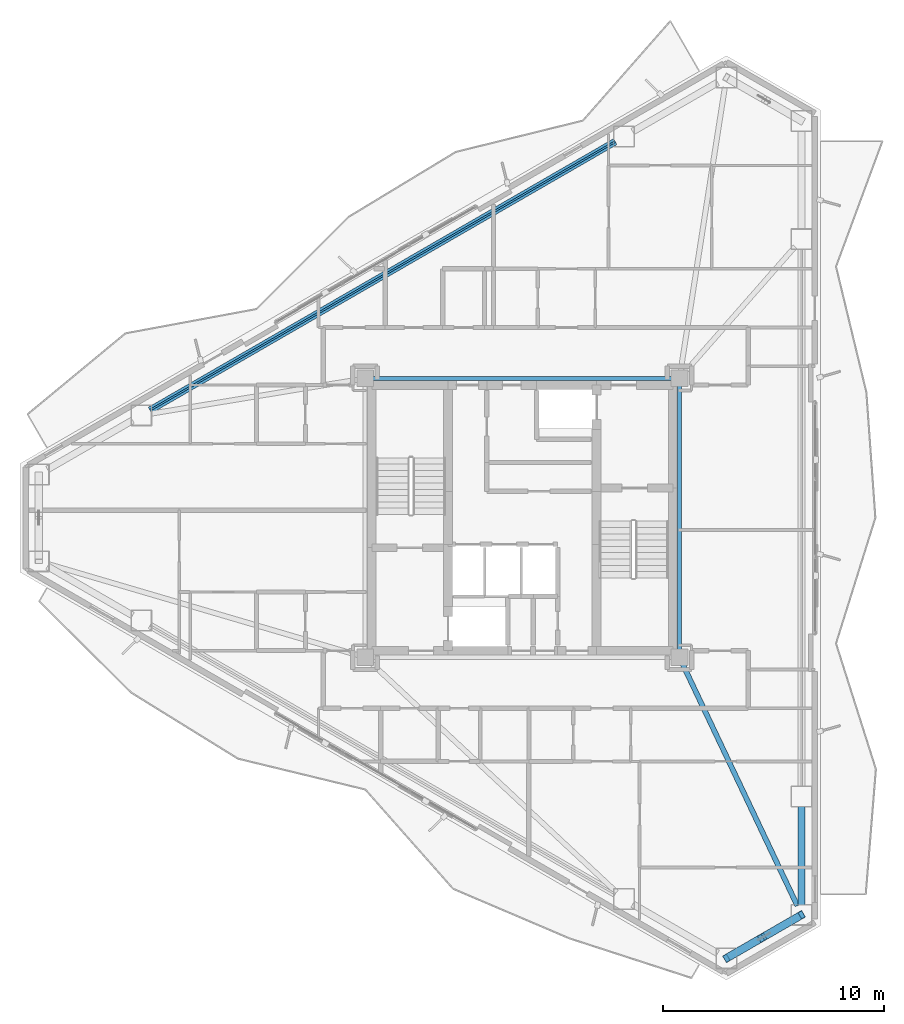
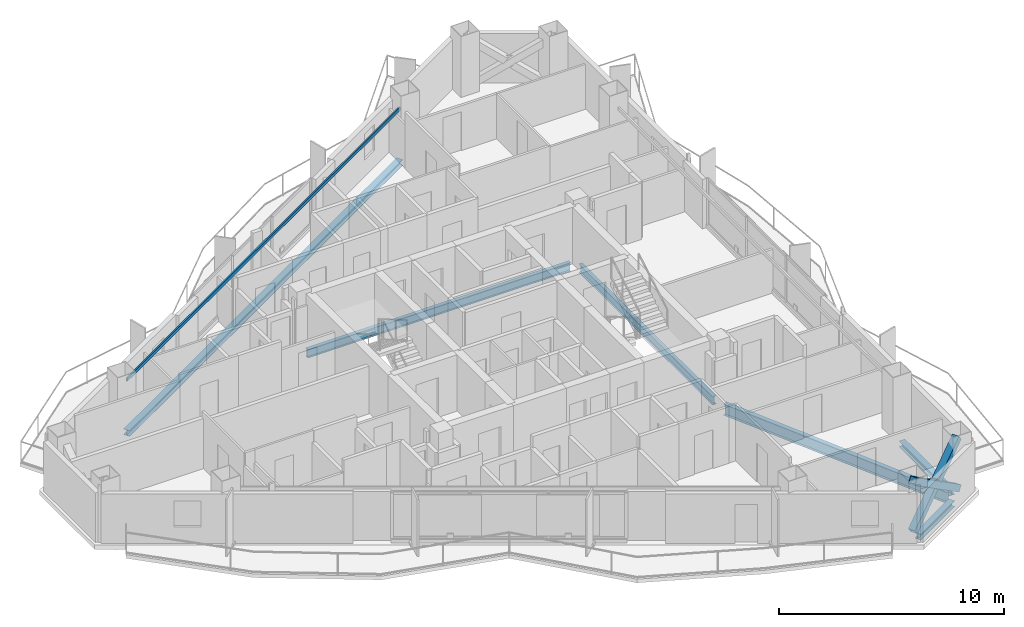
# One storey, part 6 of 19: 7 beams, 3 members.
"""IFC4 building model written with IfcOpenShell, lengths in metres."""

import ifcopenshell
import ifcopenshell.guid

model = None  # the IFC model being written
_history = None  # IfcOwnerHistory: only IFC2X3 demands one
_inside = {}  # id of a spatial element -> (the spatial element, [elements in it])
_under = {}  # id of a project, library or spatial element -> (it, [spatial elements below it])
_declared = {}  # id of a project -> (the project, [libraries it declares])
_typed = {}  # id of a type object -> (the type object, [elements of that type])
_made_of = {}  # id of a material, layer set ... -> (it, [elements and type objects made of it])


def new_model(schema):
    """Start an empty IFC model of exactly this schema.

    Asked for "IFC4X3", IfcOpenShell would pick the latest addendum, in which some entities
    have other attributes; the version numbers below select the first issue.
    IFC2X3 requires an IfcOwnerHistory on every rooted entity: one is made here for all.
    """
    global model, _history
    if schema == "IFC4X3":
        model = ifcopenshell.file(schema_version=(4, 3, 0, 0))
    else:
        model = ifcopenshell.file(schema=schema)
    _inside.clear()
    _under.clear()
    _declared.clear()
    _typed.clear()
    _made_of.clear()
    _history = None
    if model.schema == "IFC2X3":
        org = make("IfcOrganization", Name="unknown")
        user = make(
            "IfcPersonAndOrganization",
            ThePerson=make("IfcPerson", FamilyName="unknown"),
            TheOrganization=org,
        )
        app = make(
            "IfcApplication",
            ApplicationDeveloper=org,
            Version="unknown",
            ApplicationFullName="unknown",
            ApplicationIdentifier="unknown",
        )
        _history = make(
            "IfcOwnerHistory",
            OwningUser=user,
            OwningApplication=app,
            ChangeAction="ADDED",
            CreationDate=0,
        )
    return model


def make(cls, **values):
    """One entity of the class cls with the attributes given. An attribute that is None is left unset."""
    return model.create_entity(
        cls, **{name: value for name, value in values.items() if value is not None}
    )


def rooted(cls, **values):
    """An entity with a GlobalId (a new one), such as an element, a storey or a relation."""
    return make(cls, GlobalId=ifcopenshell.guid.new(), OwnerHistory=_history, **values)


def si_unit(unit_type, name, prefix=None):
    """IfcSIUnit, for example si_unit("LENGTHUNIT", "METRE", prefix="MILLI")."""
    return make("IfcSIUnit", UnitType=unit_type, Prefix=prefix, Name=name)


def assignment(units):
    """IfcUnitAssignment: the units of a project."""
    return None if units is None else make("IfcUnitAssignment", Units=units)


def point(xyz):
    """IfcCartesianPoint."""
    return None if xyz is None else make("IfcCartesianPoint", Coordinates=xyz)


def direction(xyz):
    """IfcDirection."""
    return None if xyz is None else make("IfcDirection", DirectionRatios=xyz)


def frame(location, z_axis=None, x_axis=None):
    """IfcAxis2Placement3D, a coordinate frame: its origin and axes. An axis left out is left unset."""
    return make(
        "IfcAxis2Placement3D",
        Location=point(location),
        Axis=direction(z_axis),
        RefDirection=direction(x_axis),
    )


def frame_2d(location, x_axis=None):
    """IfcAxis2Placement2D, a coordinate frame in the plane: its origin and x axis."""
    return make(
        "IfcAxis2Placement2D", Location=point(location), RefDirection=direction(x_axis)
    )


def origin():
    """The frame at (0, 0, 0) with its axes left unset."""
    return frame((0.0, 0.0, 0.0))


def origin_2d():
    """The frame at (0, 0) in the plane with its x axis left unset."""
    return frame_2d((0.0, 0.0))


def place(relative_to, where):
    """IfcLocalPlacement: puts the frame where relative to a parent placement (None: the world)."""
    return make(
        "IfcLocalPlacement", PlacementRelTo=relative_to, RelativePlacement=where
    )


def context(
    kind, dimensions, precision=None, world=None, true_north=None, identifier=None
):
    """IfcGeometricRepresentationContext, for example the 3D "Model" context."""
    return make(
        "IfcGeometricRepresentationContext",
        ContextIdentifier=identifier,
        ContextType=kind,
        CoordinateSpaceDimension=dimensions,
        Precision=precision,
        WorldCoordinateSystem=world,
        TrueNorth=true_north,
    )


def subcontext(parent, identifier, kind, view, scale=None):
    """IfcGeometricRepresentationSubContext, for example "Body" below "Model"."""
    return make(
        "IfcGeometricRepresentationSubContext",
        ContextIdentifier=identifier,
        ContextType=kind,
        ParentContext=parent,
        TargetScale=scale,
        TargetView=view,
    )


def project(units=None, contexts=None):
    """IfcProject with its units and contexts."""
    return rooted(
        "IfcProject",
        Name="project",
        RepresentationContexts=contexts,
        UnitsInContext=assignment(units),
    )


def spatial(cls, under=None, at=None, **own):
    """A site, building, storey or space (cls), placed at a placement, below another one or the project."""
    s = rooted(cls, ObjectPlacement=at, **own)
    if under is not None:
        _under.setdefault(under.id(), (under, []))[1].append(s)
    return s


def profile(cls, at=None, kind="AREA", **sizes):
    """A parametric profile (cls). Its sizes go by their IFC names, for example OverallWidth=200.0."""
    return make(cls, ProfileType=kind, Position=at, **sizes)


def hollow_rectangle(**sizes):
    """IfcRectangleHollowProfileDef."""
    return profile("IfcRectangleHollowProfileDef", **sizes)


def i_section(**sizes):
    """IfcIShapeProfileDef."""
    return profile("IfcIShapeProfileDef", **sizes)


def extrude(swept, where, along, depth):
    """IfcExtrudedAreaSolid: the profile swept, set in the frame where, extruded along a direction by depth."""
    return make(
        "IfcExtrudedAreaSolid",
        SweptArea=swept,
        Position=where,
        ExtrudedDirection=direction(along),
        Depth=depth,
    )


def shape(context_of_items, identifier, shape_type, items):
    """IfcShapeRepresentation: the items that make up one representation, for example the "Body"."""
    return make(
        "IfcShapeRepresentation",
        ContextOfItems=context_of_items,
        RepresentationIdentifier=identifier,
        RepresentationType=shape_type,
        Items=items,
    )


def material(Name=None, Category=None):
    """IfcMaterial."""
    return make("IfcMaterial", Name=Name, Category=Category)


def material_profile(
    of_material, cross_section, Name=None, Category=None, Priority=None
):
    """IfcMaterialProfile: a cross section and its material."""
    return make(
        "IfcMaterialProfile",
        Name=Name,
        Material=of_material,
        Profile=cross_section,
        Priority=Priority,
        Category=Category,
    )


def profile_set(profiles, Name=None, composite=None):
    """IfcMaterialProfileSet."""
    return make(
        "IfcMaterialProfileSet",
        Name=Name,
        MaterialProfiles=profiles,
        CompositeProfile=composite,
    )


def made_of(thing, what):
    """Note that an element or type object is made of a material, layer set ...; save() writes the relation."""
    if what is not None:
        _made_of.setdefault(what.id(), (what, []))[1].append(thing)
    return thing


def type_object(cls, material=None, **own):
    """A type object (cls), such as IfcWallType, which elements share."""
    return made_of(rooted(cls, **own), material)


def element(
    cls,
    number,
    at=None,
    inside=None,
    cuts=None,
    type_object=None,
    material=None,
    context=None,
    identifier="Body",
    shape_type=None,
    held_by="IfcProductDefinitionShape",
    body=None,
    shapes=None,
    **own,
):
    """One element of the class cls, such as IfcWall. Its Tag is "e" and its number.

    at: its placement. inside: the storey or other place that contains it. cuts: it is an
    opening in that element (IfcRelVoidsElement). A single representation is given by context,
    identifier, shape_type and body (its items); several are given by shapes. held_by: the class
    of the entity that holds the representations. save() writes the other relations.
    """
    e = rooted(cls, Tag="e%d" % number, ObjectPlacement=at, **own)
    if body is not None:
        shapes = [shape(context, identifier, shape_type, body)]
    if shapes is not None:
        e.Representation = make(held_by, Representations=shapes)
    if inside is not None:
        _inside.setdefault(inside.id(), (inside, []))[1].append(e)
    if cuts is not None:
        rooted(
            "IfcRelVoidsElement", RelatingBuildingElement=cuts, RelatedOpeningElement=e
        )
    if type_object is not None:
        _typed.setdefault(type_object.id(), (type_object, []))[1].append(e)
    return made_of(e, material)


def aggregate(whole, parts):
    """IfcRelAggregates: a whole, such as a stair, and the parts it consists of."""
    return rooted("IfcRelAggregates", RelatingObject=whole, RelatedObjects=parts)


def save(model, path):
    """Write the relations noted so far, then the file.

    IfcRelAggregates (storeys below a building ...), IfcRelContainedInSpatialStructure (elements
    in a storey), IfcRelDefinesByType, IfcRelAssociatesMaterial and IfcRelDeclares: one each for
    every whole, place, type object, material and project.
    """
    for whole, parts in _under.values():
        aggregate(whole, parts)
    for where, things in _inside.values():
        rooted(
            "IfcRelContainedInSpatialStructure",
            RelatedElements=things,
            RelatingStructure=where,
        )
    for kind, things in _typed.values():
        rooted("IfcRelDefinesByType", RelatedObjects=things, RelatingType=kind)
    for what, things in _made_of.values():
        rooted("IfcRelAssociatesMaterial", RelatedObjects=things, RelatingMaterial=what)
    for by, libraries in _declared.values():
        rooted("IfcRelDeclares", RelatingContext=by, RelatedDefinitions=libraries)
    model.write(path)


model = new_model("IFC4")

# Units and contexts
model_context = context("Model", 3, precision=1e-05, world=origin(), true_north=direction((0.0, 1.0)))
body_context = subcontext(model_context, "Body", "Model", "MODEL_VIEW")
ifc_project = project(units=[si_unit("LENGTHUNIT", "METRE"), si_unit("AREAUNIT", "SQUARE_METRE"), si_unit("VOLUMEUNIT", "CUBIC_METRE"), si_unit("PLANEANGLEUNIT", "RADIAN"), si_unit("MASSUNIT", "GRAM", prefix="KILO")], contexts=[model_context])

# Site, building, storey
site_placement = place(None, origin())
site = spatial("IfcSite", under=ifc_project, at=site_placement, CompositionType="ELEMENT")
building_placement = place(site_placement, origin())
building = spatial("IfcBuilding", under=site, at=building_placement, Name="Mersakhor Tower and Convention Hall", CompositionType="ELEMENT")
storey_placement = place(building_placement, frame((0.0, 0.0, 144.300048828125)))
storey = spatial("IfcBuildingStorey", under=building, at=storey_placement, Name="L40", CompositionType="ELEMENT", Elevation=144.300048828125)

# Beams
ifc_material_1 = material(Name="Steel S355", Category="steel")
ifc_material_profile_1 = material_profile(ifc_material_1, i_section(OverallWidth=0.19140625, OverallDepth=0.4599609375, WebThickness=0.010009765625, FlangeThickness=0.01611328125, at=origin_2d()), Name="UB 457x191x82")
ifc_profile_set_1 = profile_set([ifc_material_profile_1], Name="Steel S355")
beam_type_1 = type_object("IfcBeamType", Name="BM-FB-457", PredefinedType="BEAM", material=ifc_profile_set_1)
beam_1_placement = place(storey_placement, frame((22.2548828125, 33.050048828125, -0.469970703125), z_axis=(1.0, 0.0, 0.0), x_axis=(0.0, 1.0, 0.0)))
element("IfcBeam", 1, at=beam_1_placement, inside=storey, type_object=beam_type_1, Name="L40 Core Ring Tie Beam CRB-2", PredefinedType="BEAM", context=body_context, shape_type="SweptSolid", body=[
    extrude(i_section(OverallWidth=0.19140625, OverallDepth=0.4599609375, WebThickness=0.010009765625, FlangeThickness=0.01611328125, at=origin_2d()), origin(), (0.0, 0.0, 1.0), 13.490234375),
])
beam_2_placement = place(storey_placement, frame((36.10009765625, 32.695068359375, -0.469970703125), z_axis=(0.0, -1.0, 0.0), x_axis=(1.0, 0.0, 0.0)))
element("IfcBeam", 2, at=beam_2_placement, inside=storey, type_object=beam_type_1, Name="L40 Core Ring Tie Beam CRB-3", PredefinedType="BEAM", context=body_context, shape_type="SweptSolid", body=[
    extrude(i_section(OverallWidth=0.19140625, OverallDepth=0.4599609375, WebThickness=0.010009765625, FlangeThickness=0.01611328125, at=origin_2d()), origin(), (0.0, 0.0, 1.0), 11.89013671875),
])
ifc_material_2 = material(Name="Steel S355", Category="steel")
ifc_material_profile_2 = material_profile(ifc_material_2, hollow_rectangle(XDim=0.080078125, YDim=0.179931640625, WallThickness=0.008056640625, at=origin_2d()), Name="RHS 180x80x8")
ifc_profile_set_2 = profile_set([ifc_material_profile_2], Name="Steel S355")
beam_type_2 = type_object("IfcBeamType", Name="BM-GRT-RHS180", PredefinedType="USERDEFINED", material=ifc_profile_set_2)
beam_3_placement = place(storey_placement, frame((12.182373046875, 31.61181640625, 2.47998046875), z_axis=(0.866027433267, 0.499996484816, 0.0), x_axis=(-0.499996484816, 0.866027433267, 0.0)))
element("IfcBeam", 3, at=beam_3_placement, inside=storey, type_object=beam_type_2, Name="L40 Facade Support Girt GRT-F1", ObjectType="GIRT", PredefinedType="USERDEFINED", context=body_context, shape_type="SweptSolid", body=[
    extrude(hollow_rectangle(XDim=0.080078125, YDim=0.179931640625, WallThickness=0.008056640625, at=origin_2d()), origin(), (0.0, 0.0, 1.0), 24.267333984375),
])
ifc_material_3 = material(Name="Steel S355", Category="steel")
ifc_material_profile_3 = material_profile(ifc_material_3, i_section(OverallWidth=0.22900390625, OverallDepth=0.6123046875, WebThickness=0.011962890625, FlangeThickness=0.01953125, at=origin_2d()), Name="UB 610x229x125")
ifc_profile_set_3 = profile_set([ifc_material_profile_3], Name="Steel S355")
beam_type_3 = type_object("IfcBeamType", Name="BM-PR-610", PredefinedType="BEAM", material=ifc_profile_set_3)
beam_4_placement = place(storey_placement, frame((36.252197265625, 20.12939453125, -0.546142578125), z_axis=(0.428664675599, -0.903463666061, 0.0), x_axis=(0.903463666061, 0.428664675599, 0.0)))
element("IfcBeam", 4, at=beam_4_placement, inside=storey, type_object=beam_type_3, Name="L40 Primary Floor Girder FG-4", PredefinedType="BEAM", context=body_context, shape_type="SweptSolid", body=[
    extrude(i_section(OverallWidth=0.22900390625, OverallDepth=0.6123046875, WebThickness=0.011962890625, FlangeThickness=0.01953125, at=origin_2d()), origin(), (0.0, 0.0, 1.0), 12.065673828125),
])
ifc_material_4 = material(Name="Steel S355", Category="steel")
ifc_material_profile_4 = material_profile(ifc_material_4, i_section(OverallWidth=0.30908203125, OverallDepth=0.320556640625, WebThickness=0.013916015625, FlangeThickness=0.021728515625, at=origin_2d()), Name="UC 305x305x137")
ifc_profile_set_4 = profile_set([ifc_material_profile_4], Name="Steel S355")
beam_type_4 = type_object("IfcBeamType", Name="BM-SPD-UC305", PredefinedType="SPANDREL", material=ifc_profile_set_4)
beam_5_placement = place(storey_placement, frame((12.182373046875, 31.61181640625, -0.400146484375), z_axis=(0.866027433267, 0.499996484816, 0.0), x_axis=(-0.499996484816, 0.866027433267, 0.0)))
element("IfcBeam", 5, at=beam_5_placement, inside=storey, type_object=beam_type_4, Name="L40 Perimeter Spandrel Beam SPB-02", PredefinedType="SPANDREL", context=body_context, shape_type="SweptSolid", body=[
    extrude(i_section(OverallWidth=0.30908203125, OverallDepth=0.320556640625, WebThickness=0.013916015625, FlangeThickness=0.021728515625, at=origin_2d()), origin(), (0.0, 0.0, 1.0), 24.267333984375),
])
beam_6_placement = place(storey_placement, frame((41.619140625, 13.706298828125, -0.400146484375), z_axis=(0.0, -1.0, 0.0), x_axis=(1.0, 0.0, 0.0)))
element("IfcBeam", 6, at=beam_6_placement, inside=storey, type_object=beam_type_4, Name="L40 Perimeter Spandrel Beam SPB-07", PredefinedType="SPANDREL", context=body_context, shape_type="SweptSolid", body=[
    extrude(i_section(OverallWidth=0.30908203125, OverallDepth=0.320556640625, WebThickness=0.013916015625, FlangeThickness=0.021728515625, at=origin_2d()), origin(), (0.0, 0.0, 1.0), 4.433837890625),
])
beam_7_placement = place(storey_placement, frame((41.22509765625, 8.58984375, -0.400146484375), z_axis=(-0.86604667077, -0.499963162692, 0.0), x_axis=(0.499963162692, -0.86604667077, 0.0)))
element("IfcBeam", 7, at=beam_7_placement, inside=storey, type_object=beam_type_4, Name="L40 Perimeter Spandrel Beam SPB-08", PredefinedType="SPANDREL", context=body_context, shape_type="SweptSolid", body=[
    extrude(i_section(OverallWidth=0.30908203125, OverallDepth=0.320556640625, WebThickness=0.013916015625, FlangeThickness=0.021728515625, at=origin_2d()), origin(), (0.0, 0.0, 1.0), 3.014404296875),
])

# Members
ifc_material_5 = material(Name="Steel S460", Category="steel")
ifc_material_profile_5 = material_profile(ifc_material_5, hollow_rectangle(XDim=0.35009765625, YDim=0.35009765625, WallThickness=0.02001953125, at=origin_2d()), Name="SHS 350x350x20")
ifc_profile_set_5 = profile_set([ifc_material_profile_5], Name="Steel S460")
member_type = type_object("IfcMemberType", Name="MB-BRC-SHS350", PredefinedType="BRACE", material=ifc_profile_set_5)
member_placement = place(storey_placement, frame((41.619140625, 8.8173828125, 0.14990234375), z_axis=(-0.70838533923, -0.408971551713, 0.575267312693), x_axis=(0.499986324622, -0.866033299124, 0.0)))
element("IfcMember", 8, at=member_placement, inside=storey, type_object=member_type, Name="L40 Chamfer Braced Frame Diagonal CB-2A", PredefinedType="BRACE", context=body_context, shape_type="SweptSolid", body=[
    extrude(hollow_rectangle(XDim=0.35009765625, YDim=0.35009765625, WallThickness=0.02001953125, at=origin_2d()), origin(), (0.0, 0.0, 1.0), 4.7978515625),
])
for number, where, z_axis, x_axis, name in (
    (9, (38.220458984375, 6.855224609375, 0.14990234375), (0.708364021879, 0.408986667212, 0.575282816143), (-0.500011469263, 0.866018781901, 0.0), "L40 Chamfer Braced Frame Diagonal CB-2B Lower Half"),
    (10, (40.05712890625, 7.91552734375, 1.6416015625), (0.708409139881, 0.409012716899, 0.575208734242), (-0.500011469263, 0.866018781901, 0.0), "L40 Chamfer Braced Frame Diagonal CB-2B Upper Half"),
):
    element("IfcMember", number, at=place(storey_placement, frame(where, z_axis=z_axis, x_axis=x_axis)), inside=storey, type_object=member_type, Name=name, PredefinedType="BRACE", context=body_context, shape_type="SweptSolid", body=[
        extrude(hollow_rectangle(XDim=0.35009765625, YDim=0.35009765625, WallThickness=0.02001953125, at=origin_2d()), origin(), (0.0, 0.0, 1.0), 2.205078125),
    ])

save(model, "model.ifc")
